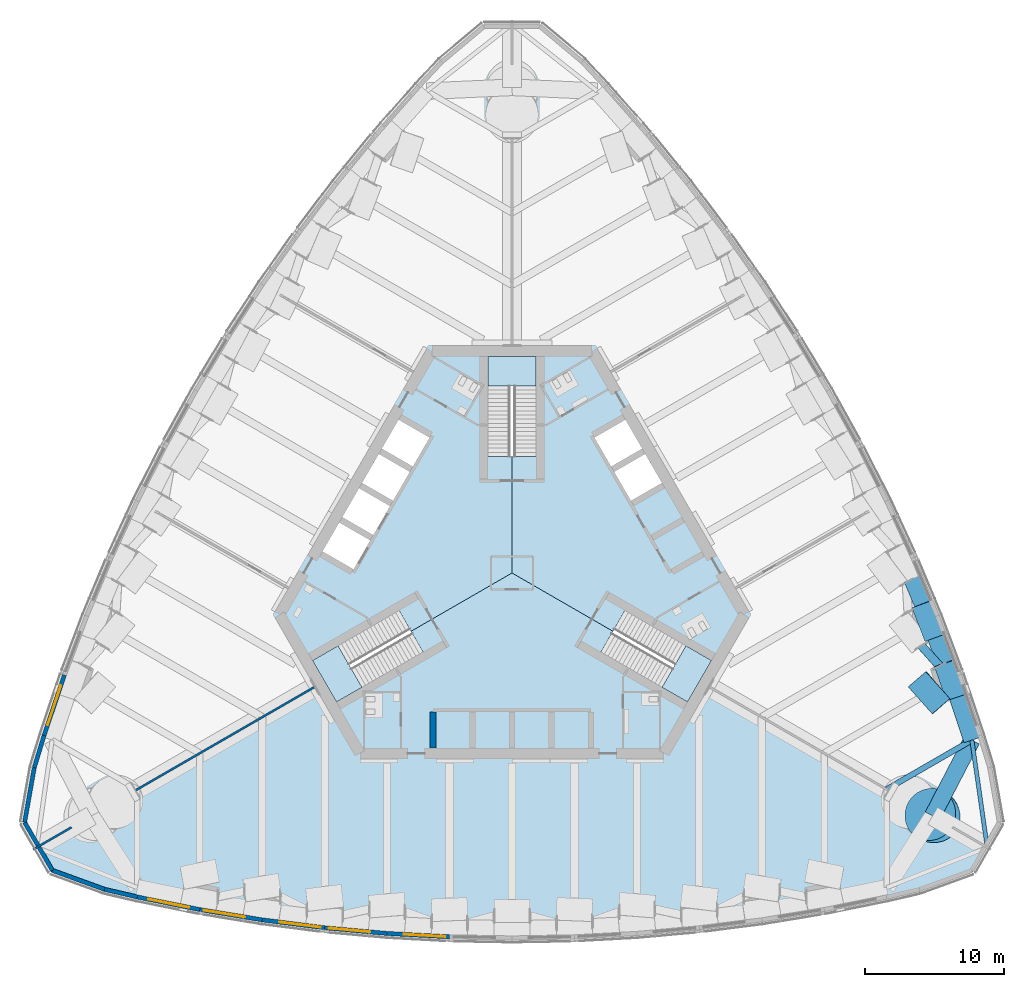
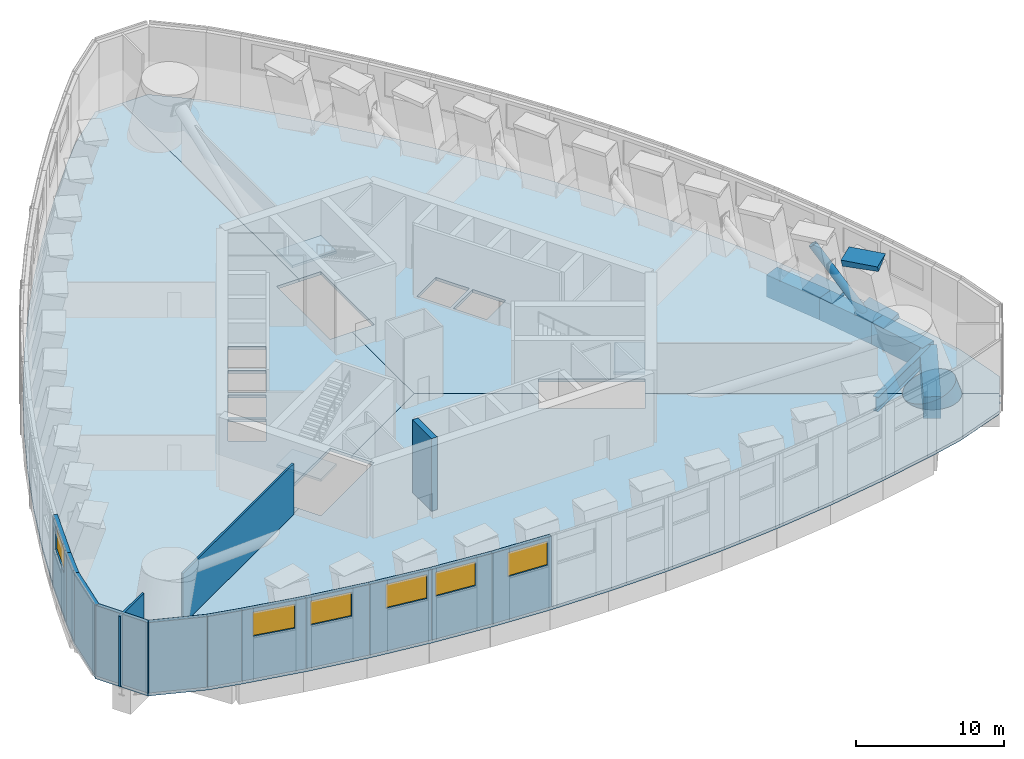
# One storey, part 6 of 25: 14 walls, 6 beams, 6 slabs, 6 windows, 5 members, 6 openings, 3 elements without a shape of their own.
"""IFC4 building model written with IfcOpenShell, lengths in metres."""

from ifc_helpers import new_model, si_unit, direction, frame, frame_2d, origin, origin_2d, place, context, subcontext, project, spatial, polyline, rectangle, circle, hollow_circle, i_section, outline, extrude, clip, halfspace, material, layer, layer_set, material_profile, profile_set, type_object, element, fill, aggregate, save


model = new_model("IFC4")

# Units and contexts
model_context = context("Model", 3, precision=1e-05, world=origin(), true_north=direction((0.0, 1.0)))
body_context = subcontext(model_context, "Body", "Model", "MODEL_VIEW")
ifc_project = project(units=[si_unit("LENGTHUNIT", "METRE"), si_unit("AREAUNIT", "SQUARE_METRE"), si_unit("VOLUMEUNIT", "CUBIC_METRE"), si_unit("PLANEANGLEUNIT", "RADIAN"), si_unit("MASSUNIT", "GRAM", prefix="KILO")], contexts=[model_context])

# Site, building, storey
site_placement = place(None, origin())
site = spatial("IfcSite", under=ifc_project, at=site_placement, CompositionType="ELEMENT")
building_placement = place(site_placement, origin())
building = spatial("IfcBuilding", under=site, at=building_placement, Name="Trefoil Bronze Tower", CompositionType="ELEMENT")
storey_placement = place(building_placement, frame((0.0, 0.0, 178.699951171875)))
storey = spatial("IfcBuildingStorey", under=building, at=storey_placement, Name="L41", CompositionType="ELEMENT", Elevation=178.699951171875)

# Members
ifc_material_1 = material(Name="Steel C355", Category="steel")
ifc_material_profile_1 = material_profile(ifc_material_1, hollow_circle(Radius=0.304931640625, WallThickness=0.02490234375, at=origin_2d()), Name="CHS 610x25")
ifc_profile_set_1 = profile_set([ifc_material_profile_1], Name="Steel C355")
member_type_1 = type_object("IfcMemberType", Name="Belt truss diagonal CHS 610x25", PredefinedType="BRACE", material=ifc_profile_set_1)
member_1_placement = place(storey_placement, frame((31.681884765625, -7.689208984375, -1.14990234375), z_axis=(-0.401478834288, 0.452226118897, 0.796433476824), x_axis=(-0.747819684312, -0.663901890159, 0.0)))
element("IfcMember", 1, at=member_1_placement, inside=storey, type_object=member_type_1, Name="Belt truss diagonal F2.1 L41", PredefinedType="BRACE", context=body_context, shape_type="SweptSolid", body=[
    extrude(hollow_circle(Radius=0.304931640625, WallThickness=0.02490234375, at=origin_2d()), origin(), (0.0, 0.0, 1.0), 7.596435546875),
])
ifc_material_2 = material(Name="Concrete B80", Category="concrete")
ifc_material_profile_2 = material_profile(ifc_material_2, rectangle(XDim=2.60009765625, YDim=1.60009765625, at=origin_2d()), Name="RC 2600x1600")
ifc_profile_set_2 = profile_set([ifc_material_profile_2], Name="Concrete B80")
member_type_2 = type_object("IfcMemberType", Name="Column node RC 2600x1600", PredefinedType="MEMBER", material=ifc_profile_set_2)
member_2_placement = place(storey_placement, frame((30.14111328125, -3.3828125, -0.267578125), z_axis=(-0.232078069787, -0.133620706847, 0.963475623057), x_axis=(-0.360588373215, 0.931762411767, 0.042365470857)))
element("IfcMember", 2, at=member_2_placement, inside=storey, type_object=member_type_2, Name="Column node TC2616 L41 bottom", PredefinedType="MEMBER", context=body_context, shape_type="Clipping", body=[
    clip(extrude(rectangle(XDim=2.60009765625, YDim=1.60009765625, at=origin_2d()), origin(), (0.0, 0.0, 1.0), 0.555419921875), halfspace(frame((0.0, 0.0, 0.27783203125), z_axis=(0.04236547085746091, -0.26442369533325305, 0.9634756230571341), x_axis=(0.0, 0.964341427692495, 0.2646613134479619)), True)),
])
member_3_placement = place(storey_placement, frame((31.766357421875, -7.640380859375, -0.3115234375), z_axis=(-0.259113803248, -0.149560636795, 0.954196862753), x_axis=(-0.329392938115, 0.942393586386, 0.058263373213)))
element("IfcMember", 3, at=member_3_placement, inside=storey, type_object=member_type_2, Name="Column node TC2616 L41 bottom", PredefinedType="MEMBER", context=body_context, shape_type="Clipping", body=[
    clip(extrude(rectangle(XDim=2.60009765625, YDim=1.60009765625, at=origin_2d()), origin(), (0.0, 0.0, 1.0), 0.653076171875), halfspace(frame((0.0, 0.0, 0.326416015625), z_axis=(0.058263373213412226, -0.29345140390500707, 0.9541968627531612), x_axis=(0.0, 0.9558205660081742, 0.2939507536915217)), True)),
])
member_4_placement = place(storey_placement, frame((29.96728515625, -8.67919921875, 6.3115234375), z_axis=(0.259113803248, 0.149560636795, -0.954196862753), x_axis=(0.651270435805, -0.756605708931, 0.058263373213)))
element("IfcMember", 4, at=member_4_placement, inside=storey, type_object=member_type_2, Name="Column node TC2616 L41 top", PredefinedType="MEMBER", context=body_context, shape_type="Clipping", body=[
    clip(extrude(rectangle(XDim=2.60009765625, YDim=1.60009765625, at=origin_2d()), origin(), (0.0, 0.0, 1.0), 0.653076171875), halfspace(frame((0.0, 0.0, 0.326416015625), z_axis=(-0.058263373213412226, 0.29345140390500707, 0.9541968627531612), x_axis=(0.0, 0.9558205660081742, -0.2939507536915217)), True)),
])
ifc_material_3 = material(Name="Concrete B80", Category="concrete")
ifc_material_profile_3 = material_profile(ifc_material_3, circle(Radius=1.89990234375, at=origin_2d()), Name="RC D3800")
ifc_profile_set_3 = profile_set([ifc_material_profile_3], Name="Concrete B80")
member_type_3 = type_object("IfcMemberType", Name="Column node RC D3800", PredefinedType="MEMBER", material=ifc_profile_set_3)
member_5_placement = place(storey_placement, frame((30.484619140625, -17.600341796875, -0.601806640625), z_axis=(-0.273828523249, 0.158177825798, 0.948682093897), x_axis=(-0.500196490846, -0.865911930017, 0.0)))
element("IfcMember", 5, at=member_5_placement, inside=storey, type_object=member_type_3, Name="Column node MC38 L41 bottom", PredefinedType="MEMBER", context=body_context, shape_type="Clipping", body=[
    clip(extrude(circle(Radius=1.89990234375, at=origin_2d()), origin(), (0.0, 0.0, 1.0), 1.268798828125), halfspace(frame((0.0, 0.0, 0.634521484375), z_axis=(0.0, 0.31623137845362453, 0.9486820938972763), x_axis=(0.0, 0.9486820938972763, -0.31623137845362453)), True)),
])

# Beams
ifc_material_4 = material(Name="Steel C355", Category="steel")
ifc_material_profile_4 = material_profile(ifc_material_4, i_section(OverallWidth=0.300048828125, OverallDepth=0.60009765625, WebThickness=0.015380859375, FlangeThickness=0.030029296875, FilletRadius=0.027099609375, at=origin_2d()), Name="HEB 600")
ifc_profile_set_4 = profile_set([ifc_material_profile_4], Name="Steel C355")
beam_type_1 = type_object("IfcBeamType", Name="Corner edge beam HEB 600", PredefinedType="BEAM", material=ifc_profile_set_4)
beam_1_placement = place(storey_placement, frame((33.13916015625, -12.044189453125, -0.550048828125), z_axis=(0.142327214588, -0.989819662357, 0.0), x_axis=(0.989819662357, 0.142327214588, 0.0)))
element("IfcBeam", 6, at=beam_1_placement, inside=storey, type_object=beam_type_1, Name="Corner edge beam F2B L41", PredefinedType="BEAM", context=body_context, shape_type="SweptSolid", body=[
    extrude(i_section(OverallWidth=0.300048828125, OverallDepth=0.60009765625, WebThickness=0.015380859375, FlangeThickness=0.030029296875, FilletRadius=0.027099609375, at=origin_2d()), origin(), (0.0, 0.0, 1.0), 7.81005859375),
])
ifc_material_5 = material(Name="Concrete B80", Category="concrete")
ifc_material_profile_5 = material_profile(ifc_material_5, rectangle(XDim=1.199951171875, YDim=1.800048828125, at=origin_2d()), Name="RC 1200x1800")
ifc_profile_set_5 = profile_set([ifc_material_profile_5], Name="Concrete B80")
beam_type_2 = type_object("IfcBeamType", Name="End spandrel beam RC 1200x1800", PredefinedType="SPANDREL", material=ifc_profile_set_5)
beam_2_placement = place(storey_placement, frame((30.310791015625, -17.5, -1.14990234375), z_axis=(0.460244107083, 0.887792409235, 0.0), x_axis=(-0.887792409235, 0.460244107083, 0.0)))
element("IfcBeam", 7, at=beam_2_placement, inside=storey, type_object=beam_type_2, Name="Spandrel F2.1 L41", PredefinedType="SPANDREL", context=body_context, shape_type="SweptSolid", body=[
    extrude(rectangle(XDim=1.199951171875, YDim=1.800048828125, at=origin_2d()), origin(), (0.0, 0.0, 1.0), 6.145263671875),
])
ifc_material_6 = material(Name="Steel C355", Category="steel")
ifc_material_profile_6 = material_profile(ifc_material_6, i_section(OverallWidth=0.39990234375, OverallDepth=1.199951171875, WebThickness=0.02001953125, FlangeThickness=0.0400390625, FilletRadius=0.010009765625, at=origin_2d()), Name="WPG 1200")
ifc_profile_set_6 = profile_set([ifc_material_profile_6], Name="Steel C355")
beam_type_3 = type_object("IfcBeamType", Name="Floor beam WPG 1200", PredefinedType="BEAM", material=ifc_profile_set_6)
beam_3_placement = place(storey_placement, frame((33.13916015625, -12.044189453125, -0.849853515625), z_axis=(-0.866041060244, -0.499972881236, 0.0), x_axis=(0.499972881236, -0.866041060244, 0.0)))
element("IfcBeam", 8, at=beam_3_placement, inside=storey, type_object=beam_type_3, Name="Floor beam F2/-6 L41", PredefinedType="BEAM", context=body_context, shape_type="SweptSolid", body=[
    extrude(i_section(OverallWidth=0.39990234375, OverallDepth=1.199951171875, WebThickness=0.02001953125, FlangeThickness=0.0400390625, FilletRadius=0.010009765625, at=origin_2d()), origin(), (0.0, 0.0, 1.0), 7.0888671875),
])
ifc_material_7 = material(Name="Concrete B80", Category="concrete")
ifc_material_profile_7 = material_profile(ifc_material_7, rectangle(XDim=1.199951171875, YDim=1.800048828125, at=origin_2d()), Name="RC 1200x1800")
ifc_profile_set_7 = profile_set([ifc_material_profile_7], Name="Concrete B80")
beam_type_4 = type_object("IfcBeamType", Name="Spandrel beam RC 1200x1800", PredefinedType="SPANDREL", material=ifc_profile_set_7)
beam_4_placement = place(storey_placement, frame((33.13916015625, -12.044189453125, -1.14990234375), z_axis=(-0.31732802068, 0.948315837309, 0.0), x_axis=(-0.948315837309, -0.31732802068, 0.0)))
element("IfcBeam", 9, at=beam_4_placement, inside=storey, type_object=beam_type_4, Name="Spandrel F2.2 L41", PredefinedType="SPANDREL", context=body_context, shape_type="SweptSolid", body=[
    extrude(rectangle(XDim=1.199951171875, YDim=1.800048828125, at=origin_2d()), origin(), (0.0, 0.0, 1.0), 4.59228515625),
])
beam_5_placement = place(storey_placement, frame((31.681884765625, -7.689208984375, -1.14990234375), z_axis=(-0.351938675523, 0.936023059904, 0.0), x_axis=(-0.936023059904, -0.351938675523, 0.0)))
element("IfcBeam", 10, at=beam_5_placement, inside=storey, type_object=beam_type_4, Name="Spandrel F2.3 L41", PredefinedType="SPANDREL", context=body_context, shape_type="SweptSolid", body=[
    extrude(rectangle(XDim=1.199951171875, YDim=1.800048828125, at=origin_2d()), origin(), (0.0, 0.0, 1.0), 4.56103515625),
])
beam_6_placement = place(storey_placement, frame((30.07666015625, -3.419921875, -1.14990234375), z_axis=(-0.386013490858, 0.922493135408, 0.0), x_axis=(-0.922493135408, -0.386013490858, 0.0)))
element("IfcBeam", 11, at=beam_6_placement, inside=storey, type_object=beam_type_4, Name="Spandrel F2.4 L41", PredefinedType="SPANDREL", context=body_context, shape_type="SweptSolid", body=[
    extrude(rectangle(XDim=1.199951171875, YDim=1.800048828125, at=origin_2d()), origin(), (0.0, 0.0, 1.0), 4.53662109375),
])

# Slabs
ifc_material_8 = material(Name="Concrete B30", Category="concrete")
ifc_layer_1 = layer(ifc_material_8, 0.25)
ifc_layer_set_1 = layer_set([ifc_layer_1], Name="Floor slab 250")
slab_type_1 = type_object("IfcSlabType", Name="Floor slab 250", PredefinedType="FLOOR", material=ifc_layer_set_1)
slab_1_placement = place(storey_placement, frame((0.0, 0.0, -0.25)))
element("IfcSlab", 12, at=slab_1_placement, inside=storey, type_object=slab_type_1, Name="Floor slab L41 face 1", PredefinedType="FLOOR", context=body_context, shape_type="SweptSolid", body=[
    extrude(outline(polyline([(22.5, -24.406005859375), (18.0, -25.1455078125), (13.5, -25.7177734375), (9.0, -26.125), (4.5, -26.36865234375), (0.0, -26.44970703125), (-4.5, -26.36865234375), (-9.0, -26.125), (-13.5, -25.7177734375), (-18.0, -25.1455078125), (-22.5, -24.406005859375), (-27.0, -23.495849609375), (-29.357666015625, -22.94970703125), (-33.21435546875, -21.5458984375), (-34.240478515625, -19.768798828125), (-13.510009765625, -7.800048828125), (-12.6474609375, -9.2939453125), (-6.412109375, -5.69384765625), (-7.274658203125, -4.199951171875), (0.0, 0.0), (7.274658203125, -4.199951171875), (6.412109375, -5.69384765625), (12.6474609375, -9.2939453125), (13.510009765625, -7.800048828125), (34.240478515625, -19.768798828125), (33.21435546875, -21.5458984375), (29.357666015625, -22.94970703125), (27.0, -23.495849609375), (22.5, -24.406005859375)])), origin(), (0.0, 0.0, 1.0), 0.25),
])
slab_2_placement = place(storey_placement, frame((0.0, 0.0, -0.25)))
element("IfcSlab", 13, at=slab_2_placement, inside=storey, type_object=slab_type_1, Name="Floor slab L41 face 2", PredefinedType="FLOOR", context=body_context, shape_type="SweptSolid", body=[
    extrude(outline(polyline([(9.88623046875, 31.6884765625), (12.776611328125, 28.1611328125), (15.522216796875, 24.55029296875), (18.124755859375, 20.856689453125), (20.5859375, 17.081298828125), (22.906005859375, 13.224853515625), (25.0859375, 9.287109375), (27.124755859375, 5.268310546875), (29.022216796875, 1.16748046875), (30.776611328125, -3.015625), (32.38623046875, -7.28271484375), (33.847900390625, -11.634765625), (34.553955078125, -13.94970703125), (35.2666015625, -17.991455078125), (34.240478515625, -19.768798828125), (13.510009765625, -7.800048828125), (14.37255859375, -6.30615234375), (8.13720703125, -2.7060546875), (7.274658203125, -4.199951171875), (0.0, 0.0), (0.0, 8.39990234375), (1.72509765625, 8.39990234375), (1.72509765625, 15.60009765625), (0.0, 15.60009765625), (0.0, 39.53759765625), (2.052001953125, 39.53759765625), (5.196044921875, 36.8994140625), (6.847900390625, 35.130615234375), (9.88623046875, 31.6884765625)]), holes=[polyline([(8.619384765625, 5.120849609375), (7.3193359375, 7.372314453125), (9.54931640625, 8.659912109375), (10.849365234375, 6.408203125), (8.619384765625, 5.120849609375)]), polyline([(7.1943359375, 7.5888671875), (5.894287109375, 9.840576171875), (8.12451171875, 11.128173828125), (9.42431640625, 8.87646484375), (7.1943359375, 7.5888671875)])]), origin(), (0.0, 0.0, 1.0), 0.25),
])
slab_3_placement = place(storey_placement, frame((0.0, 0.0, -0.25)))
element("IfcSlab", 14, at=slab_3_placement, inside=storey, type_object=slab_type_1, Name="Floor slab L41 face 3", PredefinedType="FLOOR", context=body_context, shape_type="SweptSolid", body=[
    extrude(outline(polyline([(-32.38623046875, -7.28271484375), (-30.776611328125, -3.015625), (-29.022216796875, 1.16748046875), (-27.124755859375, 5.268310546875), (-25.0859375, 9.287109375), (-22.906005859375, 13.224853515625), (-20.5859375, 17.081298828125), (-18.124755859375, 20.856689453125), (-15.522216796875, 24.55029296875), (-12.776611328125, 28.1611328125), (-9.88623046875, 31.6884765625), (-6.847900390625, 35.130615234375), (-5.196044921875, 36.8994140625), (-2.052001953125, 39.53759765625), (0.0, 39.53759765625), (0.0, 15.60009765625), (-1.72509765625, 15.60009765625), (-1.72509765625, 8.39990234375), (0.0, 8.39990234375), (0.0, 0.0), (-7.274658203125, -4.199951171875), (-8.13720703125, -2.7060546875), (-14.37255859375, -6.30615234375), (-13.510009765625, -7.800048828125), (-34.240478515625, -19.768798828125), (-35.2666015625, -17.991455078125), (-34.553955078125, -13.94970703125), (-33.847900390625, -11.634765625), (-32.38623046875, -7.28271484375)]), holes=[polyline([(-5.894287109375, 9.840576171875), (-7.1943359375, 7.5888671875), (-9.42431640625, 8.87646484375), (-8.12451171875, 11.128173828125), (-5.894287109375, 9.840576171875)]), polyline([(-7.3193359375, 7.372314453125), (-8.619384765625, 5.120849609375), (-10.849365234375, 6.408203125), (-9.54931640625, 8.659912109375), (-7.3193359375, 7.372314453125)]), polyline([(-8.744384765625, 4.904296875), (-10.04443359375, 2.652587890625), (-12.2744140625, 3.940185546875), (-10.974365234375, 6.191650390625), (-8.744384765625, 4.904296875)]), polyline([(-10.16943359375, 2.43603515625), (-11.469482421875, 0.184326171875), (-13.699462890625, 1.471923828125), (-12.3994140625, 3.7236328125), (-10.16943359375, 2.43603515625)])]), origin(), (0.0, 0.0, 1.0), 0.25),
])

# Stair, slab
ifc_material_9 = material(Name="Precast concrete B80", Category="concrete")
stair_type = type_object("IfcStairType", Name="Exit stair 36 risers", PredefinedType="HALF_TURN_STAIR", material=ifc_material_9)
stair_1_placement = place(storey_placement, origin())
stair_1 = element("IfcStair", 15, at=stair_1_placement, inside=storey, type_object=stair_type, Name="Stair ST1 L41", PredefinedType="HALF_TURN_STAIR")
ifc_material_10 = material(Name="Concrete B30", Category="concrete")
ifc_layer_2 = layer(ifc_material_10, 0.199951171875)
ifc_layer_set_2 = layer_set([ifc_layer_2], Name="Stair landing 200")
slab_type_2 = type_object("IfcSlabType", Name="Stair landing 200", PredefinedType="LANDING", material=ifc_layer_set_2)
slab_4_placement = place(storey_placement, frame((0.0, 0.0, 2.800048828125)))
slab_4 = element("IfcSlab", 16, at=slab_4_placement, type_object=slab_type_2, Name="ST1 landing 1", PredefinedType="LANDING", context=body_context, shape_type="SweptSolid", body=[
    extrude(outline(polyline([(10.8115234375, -8.23388671875), (12.6474609375, -9.2939453125), (14.37255859375, -6.30615234375), (12.53662109375, -5.24609375), (10.8115234375, -8.23388671875)])), origin(), (0.0, 0.0, 1.0), 0.199951171875),
])
aggregate(stair_1, [slab_4])

stair_2_placement = place(storey_placement, origin())
stair_2 = element("IfcStair", 17, at=stair_2_placement, inside=storey, type_object=stair_type, Name="Stair ST2 L41", PredefinedType="HALF_TURN_STAIR")
slab_5_placement = place(storey_placement, frame((0.0, 0.0, 2.800048828125)))
slab_5 = element("IfcSlab", 18, at=slab_5_placement, type_object=slab_type_2, Name="ST2 landing 1", PredefinedType="LANDING", context=body_context, shape_type="SweptSolid", body=[
    extrude(outline(polyline([(1.72509765625, 13.47998046875), (1.72509765625, 15.60009765625), (-1.72509765625, 15.60009765625), (-1.72509765625, 13.47998046875), (1.72509765625, 13.47998046875)])), origin(), (0.0, 0.0, 1.0), 0.199951171875),
])
aggregate(stair_2, [slab_5])

stair_3_placement = place(storey_placement, origin())
stair_3 = element("IfcStair", 19, at=stair_3_placement, inside=storey, type_object=stair_type, Name="Stair ST3 L41", PredefinedType="HALF_TURN_STAIR")
slab_6_placement = place(storey_placement, frame((0.0, 0.0, 2.800048828125)))
slab_6 = element("IfcSlab", 20, at=slab_6_placement, type_object=slab_type_2, Name="ST3 landing 1", PredefinedType="LANDING", context=body_context, shape_type="SweptSolid", body=[
    extrude(outline(polyline([(-12.53662109375, -5.24609375), (-14.37255859375, -6.30615234375), (-12.6474609375, -9.2939453125), (-10.8115234375, -8.23388671875), (-12.53662109375, -5.24609375)])), origin(), (0.0, 0.0, 1.0), 0.199951171875),
])
aggregate(stair_3, [slab_6])

# Wall
ifc_material_11 = material(Name="Concrete B80", Category="concrete")
ifc_layer_3 = layer(ifc_material_11, 0.300048828125)
ifc_layer_set_3 = layer_set([ifc_layer_3], Name="Belt wall 300")
wall_type_1 = type_object("IfcWallType", Name="Belt wall 300", PredefinedType="SOLIDWALL", material=ifc_layer_set_3)
wall_1_placement = place(storey_placement, frame((-29.357666015625, -22.799560546875, 0.0), z_axis=(0.0, 0.0, 1.0), x_axis=(0.974203832844, -0.225669874089, 0.0)))
element("IfcWall", 21, at=wall_1_placement, inside=storey, type_object=wall_type_1, Name="Belt wall T2.1", PredefinedType="SOLIDWALL", context=body_context, shape_type="SweptSolid", body=[
    extrude(rectangle(XDim=2.420166015625, YDim=0.300048828125, at=frame_2d((1.2099609375, 0.0))), origin(), (0.0, 0.0, 1.0), 5.800048828125),
])

# Wall, opening, window
wall_2_placement = place(storey_placement, frame((-27.0, -23.345703125, 0.0), z_axis=(0.0, 0.0, 1.0), x_axis=(0.980152955069, -0.198242741781, 0.0)))
wall_2 = element("IfcWall", 22, at=wall_2_placement, inside=storey, type_object=wall_type_1, Name="Belt wall T2.2", PredefinedType="SOLIDWALL", context=body_context, shape_type="SweptSolid", body=[
    extrude(rectangle(XDim=4.591064453125, YDim=0.300048828125, at=frame_2d((2.29541015625, 0.0))), origin(), (0.0, 0.0, 1.0), 5.800048828125),
])
opening_1_placement = place(wall_2_placement, frame((0.795654296875, 0.0, 3.5)))
opening_1 = element("IfcOpeningElement", 23, at=opening_1_placement, cuts=wall_2, Name="Opening LV1", PredefinedType="OPENING", context=body_context, shape_type="SweptSolid", body=[
    extrude(rectangle(XDim=3.0, YDim=2.0, at=frame_2d((1.5, 1.0))), frame((0.0, 0.159912109375, 0.0), z_axis=(0.0, -1.0, 0.0), x_axis=(1.0, 0.0, 0.0)), (0.0, 0.0, 1.0), 0.320068359375),
])
ifc_material_12 = material(Name="Bronze-finish aluminium louvre", Category="aluminium")
window_type = type_object("IfcWindowType", Name="Plant louvre 3000", PartitioningType="SINGLE_PANEL", PredefinedType="USERDEFINED", material=ifc_material_12)
window_1_placement = place(opening_1_placement, origin())
window_1 = element("IfcWindow", 24, at=window_1_placement, inside=storey, type_object=window_type, Name="Plant louvre L41 F1.2.1", ObjectType="LOUVRE", OverallHeight=2.0, OverallWidth=3.0, PartitioningType="SINGLE_PANEL", PredefinedType="USERDEFINED", context=body_context, shape_type="SweptSolid", body=[
    extrude(rectangle(XDim=3.0, YDim=2.0, at=frame_2d((1.5, 1.0))), frame((0.0, 0.030029296875, 0.0), z_axis=(0.0, -1.0, 0.0), x_axis=(1.0, 0.0, 0.0)), (0.0, 0.0, 1.0), 0.06005859375),
])
fill(opening_1, window_1)

wall_3_placement = place(storey_placement, frame((-22.5, -24.255859375, 0.0), z_axis=(0.0, 0.0, 1.0), x_axis=(0.986756114194, -0.162210884657, 0.0)))
wall_3 = element("IfcWall", 25, at=wall_3_placement, inside=storey, type_object=wall_type_1, Name="Belt wall T2.3", PredefinedType="SOLIDWALL", context=body_context, shape_type="SweptSolid", body=[
    extrude(rectangle(XDim=4.560302734375, YDim=0.300048828125, at=frame_2d((2.2802734375, 0.0))), origin(), (0.0, 0.0, 1.0), 5.800048828125),
])
opening_2_placement = place(wall_3_placement, frame((0.300048828125, 0.0, 3.5)))
opening_2 = element("IfcOpeningElement", 26, at=opening_2_placement, cuts=wall_3, Name="Opening LV1", PredefinedType="OPENING", context=body_context, shape_type="SweptSolid", body=[
    extrude(rectangle(XDim=3.0, YDim=2.0, at=frame_2d((1.5, 1.0))), frame((0.0, 0.159912109375, 0.0), z_axis=(0.0, -1.0, 0.0), x_axis=(1.0, 0.0, 0.0)), (0.0, 0.0, 1.0), 0.320068359375),
])
window_2_placement = place(opening_2_placement, origin())
window_2 = element("IfcWindow", 27, at=window_2_placement, inside=storey, type_object=window_type, Name="Plant louvre L41 F1.3.1", ObjectType="LOUVRE", OverallHeight=2.0, OverallWidth=3.0, PartitioningType="SINGLE_PANEL", PredefinedType="USERDEFINED", context=body_context, shape_type="SweptSolid", body=[
    extrude(rectangle(XDim=3.0, YDim=2.0, at=frame_2d((1.5, 1.0))), frame((0.0, 0.030029296875, 0.0), z_axis=(0.0, -1.0, 0.0), x_axis=(1.0, 0.0, 0.0)), (0.0, 0.0, 1.0), 0.06005859375),
])
fill(opening_2, window_2)

wall_4_placement = place(storey_placement, frame((-18.0, -24.99560546875, 0.0), z_axis=(0.0, 0.0, 1.0), x_axis=(0.992010652594, -0.12615413247, 0.0)))
wall_4 = element("IfcWall", 28, at=wall_4_placement, inside=storey, type_object=wall_type_1, Name="Belt wall T2.4", PredefinedType="SOLIDWALL", context=body_context, shape_type="SweptSolid", body=[
    extrude(rectangle(XDim=4.5361328125, YDim=0.300048828125, at=frame_2d((2.26806640625, 0.0))), origin(), (0.0, 0.0, 1.0), 5.800048828125),
])
opening_3_placement = place(wall_4_placement, frame((1.236328125, 0.0, 3.5)))
opening_3 = element("IfcOpeningElement", 29, at=opening_3_placement, cuts=wall_4, Name="Opening LV1", PredefinedType="OPENING", context=body_context, shape_type="SweptSolid", body=[
    extrude(rectangle(XDim=3.0, YDim=2.0, at=frame_2d((1.5, 1.0))), frame((0.0, 0.159912109375, 0.0), z_axis=(0.0, -1.0, 0.0), x_axis=(1.0, 0.0, 0.0)), (0.0, 0.0, 1.0), 0.320068359375),
])
window_3_placement = place(opening_3_placement, origin())
window_3 = element("IfcWindow", 30, at=window_3_placement, inside=storey, type_object=window_type, Name="Plant louvre L41 F1.4.1", ObjectType="LOUVRE", OverallHeight=2.0, OverallWidth=3.0, PartitioningType="SINGLE_PANEL", PredefinedType="USERDEFINED", context=body_context, shape_type="SweptSolid", body=[
    extrude(rectangle(XDim=3.0, YDim=2.0, at=frame_2d((1.5, 1.0))), frame((0.0, 0.030029296875, 0.0), z_axis=(0.0, -1.0, 0.0), x_axis=(1.0, 0.0, 0.0)), (0.0, 0.0, 1.0), 0.06005859375),
])
fill(opening_3, window_3)

wall_5_placement = place(storey_placement, frame((-13.5, -25.56787109375, 0.0), z_axis=(0.0, 0.0, 1.0), x_axis=(0.995935173755, -0.090072913121, 0.0)))
wall_5 = element("IfcWall", 31, at=wall_5_placement, inside=storey, type_object=wall_type_1, Name="Belt wall T2.5", PredefinedType="SOLIDWALL", context=body_context, shape_type="SweptSolid", body=[
    extrude(rectangle(XDim=4.518310546875, YDim=0.300048828125, at=frame_2d((2.25927734375, 0.0))), origin(), (0.0, 0.0, 1.0), 5.800048828125),
])
opening_4_placement = place(wall_5_placement, frame((0.300048828125, 0.0, 3.5)))
opening_4 = element("IfcOpeningElement", 32, at=opening_4_placement, cuts=wall_5, Name="Opening LV1", PredefinedType="OPENING", context=body_context, shape_type="SweptSolid", body=[
    extrude(rectangle(XDim=3.0, YDim=2.0, at=frame_2d((1.5, 1.0))), frame((0.0, 0.159912109375, 0.0), z_axis=(0.0, -1.0, 0.0), x_axis=(1.0, 0.0, 0.0)), (0.0, 0.0, 1.0), 0.320068359375),
])
window_4_placement = place(opening_4_placement, origin())
window_4 = element("IfcWindow", 33, at=window_4_placement, inside=storey, type_object=window_type, Name="Plant louvre L41 F1.5.1", ObjectType="LOUVRE", OverallHeight=2.0, OverallWidth=3.0, PartitioningType="SINGLE_PANEL", PredefinedType="USERDEFINED", context=body_context, shape_type="SweptSolid", body=[
    extrude(rectangle(XDim=3.0, YDim=2.0, at=frame_2d((1.5, 1.0))), frame((0.0, 0.030029296875, 0.0), z_axis=(0.0, -1.0, 0.0), x_axis=(1.0, 0.0, 0.0)), (0.0, 0.0, 1.0), 0.06005859375),
])
fill(opening_4, window_4)

wall_6_placement = place(storey_placement, frame((-9.0, -25.974853515625, 0.0), z_axis=(0.0, 0.0, 1.0), x_axis=(0.998537376538, -0.054065771581, 0.0)))
wall_6 = element("IfcWall", 34, at=wall_6_placement, inside=storey, type_object=wall_type_1, Name="Belt wall T2.6", PredefinedType="SOLIDWALL", context=body_context, shape_type="SweptSolid", body=[
    extrude(rectangle(XDim=4.506591796875, YDim=0.300048828125, at=frame_2d((2.25341796875, 0.0))), origin(), (0.0, 0.0, 1.0), 5.800048828125),
])
opening_5_placement = place(wall_6_placement, frame((1.20654296875, 0.0, 3.5)))
opening_5 = element("IfcOpeningElement", 35, at=opening_5_placement, cuts=wall_6, Name="Opening LV1", PredefinedType="OPENING", context=body_context, shape_type="SweptSolid", body=[
    extrude(rectangle(XDim=3.0, YDim=2.0, at=frame_2d((1.5, 1.0))), frame((0.0, 0.159912109375, 0.0), z_axis=(0.0, -1.0, 0.0), x_axis=(1.0, 0.0, 0.0)), (0.0, 0.0, 1.0), 0.320068359375),
])
window_5_placement = place(opening_5_placement, origin())
window_5 = element("IfcWindow", 36, at=window_5_placement, inside=storey, type_object=window_type, Name="Plant louvre L41 F1.6.1", ObjectType="LOUVRE", OverallHeight=2.0, OverallWidth=3.0, PartitioningType="SINGLE_PANEL", PredefinedType="USERDEFINED", context=body_context, shape_type="SweptSolid", body=[
    extrude(rectangle(XDim=3.0, YDim=2.0, at=frame_2d((1.5, 1.0))), frame((0.0, 0.030029296875, 0.0), z_axis=(0.0, -1.0, 0.0), x_axis=(1.0, 0.0, 0.0)), (0.0, 0.0, 1.0), 0.06005859375),
])
fill(opening_5, window_5)

wall_7_placement = place(storey_placement, frame((-32.25634765625, -7.357666015625, 0.0), z_axis=(0.0, 0.0, 1.0), x_axis=(-0.318380687167, -0.947962941279, 0.0)))
wall_7 = element("IfcWall", 37, at=wall_7_placement, inside=storey, type_object=wall_type_1, Name="Belt wall T2.47", PredefinedType="SOLIDWALL", context=body_context, shape_type="SweptSolid", body=[
    extrude(rectangle(XDim=4.591064453125, YDim=0.300048828125, at=frame_2d((2.29541015625, 0.0))), origin(), (0.0, 0.0, 1.0), 5.800048828125),
])
opening_6_placement = place(wall_7_placement, frame((0.795654296875, 0.0, 3.5)))
opening_6 = element("IfcOpeningElement", 38, at=opening_6_placement, cuts=wall_7, Name="Opening LV1", PredefinedType="OPENING", context=body_context, shape_type="SweptSolid", body=[
    extrude(rectangle(XDim=3.0, YDim=2.0, at=frame_2d((1.5, 1.0))), frame((0.0, 0.159912109375, 0.0), z_axis=(0.0, -1.0, 0.0), x_axis=(1.0, 0.0, 0.0)), (0.0, 0.0, 1.0), 0.320068359375),
])
window_6_placement = place(opening_6_placement, origin())
window_6 = element("IfcWindow", 39, at=window_6_placement, inside=storey, type_object=window_type, Name="Plant louvre L41 F3.13.1", ObjectType="LOUVRE", OverallHeight=2.0, OverallWidth=3.0, PartitioningType="SINGLE_PANEL", PredefinedType="USERDEFINED", context=body_context, shape_type="SweptSolid", body=[
    extrude(rectangle(XDim=3.0, YDim=2.0, at=frame_2d((1.5, 1.0))), frame((0.0, 0.030029296875, 0.0), z_axis=(0.0, -1.0, 0.0), x_axis=(1.0, 0.0, 0.0)), (0.0, 0.0, 1.0), 0.06005859375),
])
fill(opening_6, window_6)

# Walls
wall_8_placement = place(storey_placement, frame((-33.718017578125, -11.709716796875, 0.0), z_axis=(0.0, 0.0, 1.0), x_axis=(-0.291639268075, -0.956528377685, 0.0)))
element("IfcWall", 40, at=wall_8_placement, inside=storey, type_object=wall_type_1, Name="Belt wall T2.48", PredefinedType="SOLIDWALL", context=body_context, shape_type="SweptSolid", body=[
    extrude(rectangle(XDim=2.420166015625, YDim=0.300048828125, at=frame_2d((1.2099609375, 0.0))), origin(), (0.0, 0.0, 1.0), 5.800048828125),
])
for number, where, z_axis, x_axis, name in (
    (41, (-34.423828125, -14.024658203125, 0.0), (0.0, 0.0, 1.0), (-0.173691363561, -0.984800137198, 0.0), "Belt wall T2.49"),
    (42, (-35.118896484375, -17.965576171875, 0.0), (0.0, 0.0, 1.0), (0.500023469478, -0.866011853251, 0.0), "Belt wall T2.50"),
):
    element("IfcWall", number, at=place(storey_placement, frame(where, z_axis=z_axis, x_axis=x_axis)), inside=storey, type_object=wall_type_1, Name=name, PredefinedType="SOLIDWALL", context=body_context, shape_type="SweptSolid", body=[
        extrude(rectangle(XDim=4.001708984375, YDim=0.300048828125, at=frame_2d((2.0009765625, 0.0))), origin(), (0.0, 0.0, 1.0), 5.800048828125),
    ])
wall_9_placement = place(storey_placement, frame((-33.117919921875, -21.43115234375, 0.0), z_axis=(0.0, 0.0, 1.0), x_axis=(0.939709670534, -0.341973295893, 0.0)))
element("IfcWall", 43, at=wall_9_placement, inside=storey, type_object=wall_type_1, Name="Belt wall T2.51", PredefinedType="SOLIDWALL", context=body_context, shape_type="SweptSolid", body=[
    extrude(rectangle(XDim=4.00146484375, YDim=0.300048828125, at=frame_2d((2.000732421875, 0.0))), origin(), (0.0, 0.0, 1.0), 5.800048828125),
])
ifc_material_13 = material(Name="Concrete B80", Category="concrete")
ifc_layer_4 = layer(ifc_material_13, 0.449951171875)
ifc_layer_set_4 = layer_set([ifc_layer_4], Name="Outrigger shaft wall 450")
wall_type_2 = type_object("IfcWallType", Name="Outrigger shaft wall 450", PredefinedType="SHEAR", material=ifc_layer_set_4)
wall_10_placement = place(storey_placement, frame((-5.699951171875, -10.02490234375, 0.0), z_axis=(0.0, 0.0, 1.0), x_axis=(0.0, -1.0, 0.0)))
element("IfcWall", 44, at=wall_10_placement, inside=storey, type_object=wall_type_2, Name="Lift shaft side wall A0 L41", PredefinedType="SHEAR", context=body_context, shape_type="SweptSolid", body=[
    extrude(rectangle(XDim=2.5751953125, YDim=0.449951171875, at=frame_2d((1.28759765625, 0.0))), origin(), (0.0, 0.0, 1.0), 6.0),
])
ifc_material_14 = material(Name="Gypsum board on steel studs", Category="steel")
ifc_layer_5 = layer(ifc_material_14, 0.14990234375)
ifc_layer_set_5 = layer_set([ifc_layer_5], Name="Party wall 150")
wall_type_3 = type_object("IfcWallType", Name="Party wall 150", PredefinedType="PARTITIONING", material=ifc_layer_set_5)
wall_11_placement = place(storey_placement, frame((-14.202880859375, -8.199951171875, 0.0), z_axis=(0.0, 0.0, 1.0), x_axis=(-0.866021600284, -0.500006587798, 0.0)))
element("IfcWall", 45, at=wall_11_placement, inside=storey, type_object=wall_type_3, Name="Party wall K3 L41", PredefinedType="PARTITIONING", context=body_context, shape_type="SweptSolid", body=[
    extrude(rectangle(XDim=14.949951171875, YDim=0.14990234375, at=frame_2d((7.47509765625, 0.0))), origin(), (0.0, 0.0, 1.0), 4.199951171875),
])
wall_12_placement = place(storey_placement, frame((-31.73974609375, -18.324951171875, 0.0), z_axis=(0.0, 0.0, 1.0), x_axis=(-0.866036909293, -0.499980071345, 0.0)))
element("IfcWall", 46, at=wall_12_placement, inside=storey, type_object=wall_type_3, Name="Party wall K3 L41", PredefinedType="PARTITIONING", context=body_context, shape_type="SweptSolid", body=[
    extrude(rectangle(XDim=3.199462890625, YDim=0.14990234375, at=frame_2d((1.599609375, 0.0))), origin(), (0.0, 0.0, 1.0), 5.800048828125),
])

save(model, "model.ifc")
